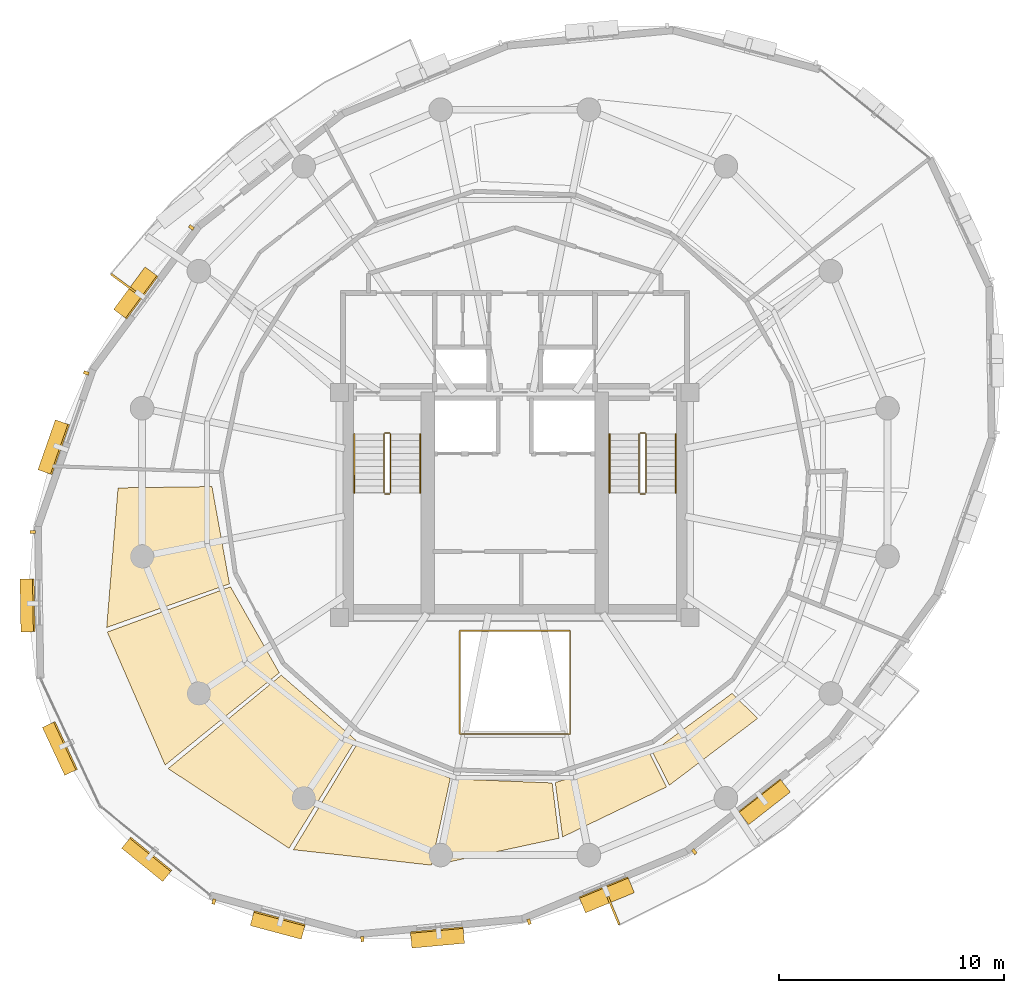
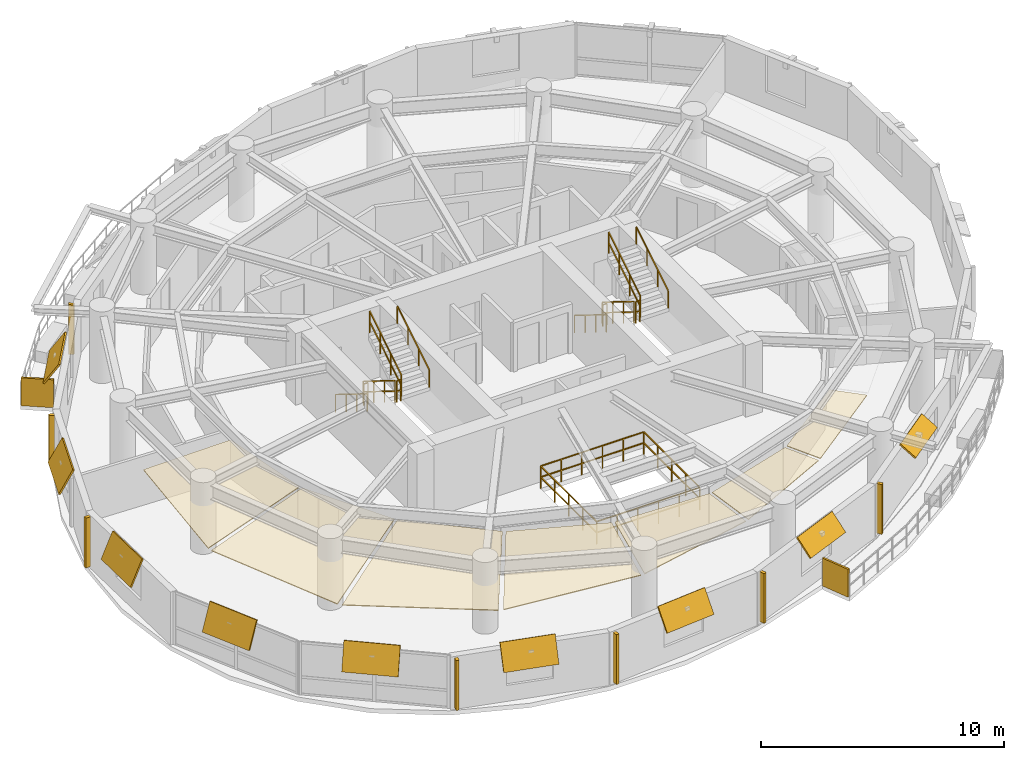
# One storey, part 11 of 12: 18 shading devices, 13 railings, 7 coverings.
"""IFC4 building model written with IfcOpenShell, lengths in metres."""

from ifc_helpers import new_model, si_unit, direction, frame, origin, origin_2d, place, context, subcontext, project, spatial, polyline, rectangle, outline, extrude, material, layer, layer_set, type_object, element, save


model = new_model("IFC4")

# Units and contexts
model_context = context("Model", 3, precision=1e-05, world=origin(), true_north=direction((0.0, 1.0)))
body_context = subcontext(model_context, "Body", "Model", "MODEL_VIEW")
ifc_project = project(units=[si_unit("LENGTHUNIT", "METRE"), si_unit("AREAUNIT", "SQUARE_METRE"), si_unit("VOLUMEUNIT", "CUBIC_METRE"), si_unit("PLANEANGLEUNIT", "RADIAN"), si_unit("MASSUNIT", "GRAM", prefix="KILO"), si_unit("THERMODYNAMICTEMPERATUREUNIT", "KELVIN"), si_unit("POWERUNIT", "WATT")], contexts=[model_context])

# Site, building, storey
site_placement = place(None, origin())
site = spatial("IfcSite", under=ifc_project, at=site_placement, CompositionType="ELEMENT")
building_placement = place(site_placement, origin())
building = spatial("IfcBuilding", under=site, at=building_placement, Name="Ocrelia Relay Tower", CompositionType="ELEMENT")
storey_placement = place(building_placement, frame((0.0, 0.0, 191.60009765625)))
storey = spatial("IfcBuildingStorey", under=building, at=storey_placement, Name="L46", CompositionType="ELEMENT", Elevation=191.60009765625)

# Coverings
ifc_material_1 = material(Name="Mineral-fiber acoustic ceiling tile", Category="gypsum")
ifc_layer_1 = layer(ifc_material_1, 0.0400390625, Name="Mineral-fiber acoustic ceiling tile")
ifc_layer_set_1 = layer_set([ifc_layer_1], Name="Mineral-fiber acoustic ceiling tile")
covering_type = type_object("IfcCoveringType", Name="COV-CEIL-ACOUSTIC", PredefinedType="CEILING", material=ifc_layer_set_1)
covering_1_placement = place(storey_placement, frame((0.0, 0.0, 2.3798828125)))
element("IfcCovering", 1, at=covering_1_placement, inside=storey, type_object=covering_type, Name="L46 Quiet Day Study Suspended Ceiling 1", PredefinedType="CEILING", context=body_context, shape_type="SweptSolid", body=[
    extrude(outline(polyline([(20.53125, 25.81201171875), (16.353759765625, 25.753662109375), (15.847900390625, 19.54541015625), (21.30859375, 21.487060546875), (20.53125, 25.81201171875)])), origin(), (0.0, 0.0, 1.0), 0.0400390625),
])
covering_2_placement = place(storey_placement, frame((0.0, 0.0, 2.3798828125)))
element("IfcCovering", 2, at=covering_2_placement, inside=storey, type_object=covering_type, Name="L46 Quiet Day Study Suspended Ceiling 2", PredefinedType="CEILING", context=body_context, shape_type="SweptSolid", body=[
    extrude(outline(polyline([(21.3564453125, 21.354248046875), (15.8759765625, 19.340576171875), (18.44775390625, 13.428466796875), (23.5244140625, 17.5322265625), (21.3564453125, 21.354248046875)])), origin(), (0.0, 0.0, 1.0), 0.0400390625),
])
covering_3_placement = place(storey_placement, frame((0.0, 0.0, 2.3798828125)))
element("IfcCovering", 3, at=covering_3_placement, inside=storey, type_object=covering_type, Name="L46 Quiet Day Study Suspended Ceiling 3", PredefinedType="CEILING", context=body_context, shape_type="SweptSolid", body=[
    extrude(outline(polyline([(23.61376953125, 17.423095703125), (18.5830078125, 13.2685546875), (23.95849609375, 9.7255859375), (26.927001953125, 14.53662109375), (23.61376953125, 17.423095703125)])), origin(), (0.0, 0.0, 1.0), 0.0400390625),
])
covering_4_placement = place(storey_placement, frame((0.0, 0.0, 2.3798828125)))
element("IfcCovering", 4, at=covering_4_placement, inside=storey, type_object=covering_type, Name="L46 Quiet Day Study Suspended Ceiling 4", PredefinedType="CEILING", context=body_context, shape_type="SweptSolid", body=[
    extrude(outline(polyline([(27.04736328125, 14.462890625), (24.15380859375, 9.661376953125), (30.287841796875, 8.974609375), (31.130615234375, 12.839111328125), (27.04736328125, 14.462890625)])), origin(), (0.0, 0.0, 1.0), 0.0400390625),
])
covering_5_placement = place(storey_placement, frame((0.0, 0.0, 2.3798828125)))
element("IfcCovering", 5, at=covering_5_placement, inside=storey, type_object=covering_type, Name="L46 Quiet Day Study Suspended Ceiling 5", PredefinedType="CEILING", context=body_context, shape_type="SweptSolid", body=[
    extrude(outline(polyline([(31.2685546875, 12.809814453125), (30.47705078125, 8.988525390625), (35.964599609375, 10.171630859375), (35.6591796875, 12.632568359375), (31.2685546875, 12.809814453125)])), origin(), (0.0, 0.0, 1.0), 0.0400390625),
])
covering_6_placement = place(storey_placement, frame((0.0, 0.0, 2.3798828125)))
element("IfcCovering", 6, at=covering_6_placement, inside=storey, type_object=covering_type, Name="L46 Quiet Day Study Suspended Ceiling 6", PredefinedType="CEILING", context=body_context, shape_type="SweptSolid", body=[
    extrude(outline(polyline([(35.799072265625, 12.650634765625), (36.125244140625, 10.22900390625), (40.740478515625, 12.45068359375), (39.999755859375, 13.93994140625), (35.799072265625, 12.650634765625)])), origin(), (0.0, 0.0, 1.0), 0.0400390625),
])
covering_7_placement = place(storey_placement, frame((0.0, 0.0, 2.3798828125)))
element("IfcCovering", 7, at=covering_7_placement, inside=storey, type_object=covering_type, Name="L46 Quiet Day Study Suspended Ceiling 7", PredefinedType="CEILING", context=body_context, shape_type="SweptSolid", body=[
    extrude(outline(polyline([(40.125732421875, 14.00341796875), (40.8759765625, 12.5341796875), (44.802001953125, 15.504638671875), (43.660888671875, 16.61328125), (40.125732421875, 14.00341796875)])), origin(), (0.0, 0.0, 1.0), 0.0400390625),
])

# Railings
ifc_material_2 = material(Name="Steel S355 atrium balustrade", Category="steel")
railing_type_1 = type_object("IfcRailingType", Name="RL-INT-GUARD-115", PredefinedType="GUARDRAIL", material=ifc_material_2)
railing_1_placement = place(storey_placement, frame((31.550048828125, 14.800048828125, 0.0)))
element("IfcRailing", 8, at=railing_1_placement, inside=storey, type_object=railing_type_1, Name="L46 Multi-Zone Interior Atrium Guard", PredefinedType="GUARDRAIL", context=body_context, shape_type="SweptSolid", body=[
    extrude(rectangle(XDim=0.048095703125, YDim=0.048095703125, at=origin_2d()), frame((0.0, 0.0, 1.1259765625), z_axis=(1.0, 0.0, 0.0), x_axis=(0.0, 1.0, 0.0)), (0.0, 0.0, 1.0), 4.89990234375),
    extrude(rectangle(XDim=0.048095703125, YDim=0.048095703125, at=origin_2d()), frame((0.0, 0.0, 0.574951171875), z_axis=(1.0, 0.0, 0.0), x_axis=(0.0, 1.0, 0.0)), (0.0, 0.0, 1.0), 4.89990234375),
    extrude(rectangle(XDim=0.048095703125, YDim=0.048095703125, at=origin_2d()), frame((4.89990234375, 0.0, 1.1259765625), z_axis=(0.0, 1.0, 0.0), x_axis=(-1.0, 0.0, 0.0)), (0.0, 0.0, 1.0), 4.599853515625),
    extrude(rectangle(XDim=0.048095703125, YDim=0.048095703125, at=origin_2d()), frame((4.89990234375, 0.0, 0.574951171875), z_axis=(0.0, 1.0, 0.0), x_axis=(-1.0, 0.0, 0.0)), (0.0, 0.0, 1.0), 4.599853515625),
    extrude(rectangle(XDim=0.048095703125, YDim=0.048095703125, at=origin_2d()), frame((4.89990234375, 4.599853515625, 1.1259765625), z_axis=(-1.0, 0.0, 0.0), x_axis=(0.0, -1.0, 0.0)), (0.0, 0.0, 1.0), 4.89990234375),
    extrude(rectangle(XDim=0.048095703125, YDim=0.048095703125, at=origin_2d()), frame((4.89990234375, 4.599853515625, 0.574951171875), z_axis=(-1.0, 0.0, 0.0), x_axis=(0.0, -1.0, 0.0)), (0.0, 0.0, 1.0), 4.89990234375),
    extrude(rectangle(XDim=0.048095703125, YDim=0.048095703125, at=origin_2d()), frame((0.0, 4.599853515625, 1.1259765625), z_axis=(0.0, -1.0, 0.0), x_axis=(1.0, 0.0, 0.0)), (0.0, 0.0, 1.0), 4.599853515625),
    extrude(rectangle(XDim=0.048095703125, YDim=0.048095703125, at=origin_2d()), frame((0.0, 4.599853515625, 0.574951171875), z_axis=(0.0, -1.0, 0.0), x_axis=(1.0, 0.0, 0.0)), (0.0, 0.0, 1.0), 4.599853515625),
    extrude(rectangle(XDim=0.0419921875, YDim=0.0419921875, at=origin_2d()), origin(), (0.0, 0.0, 1.0), 1.101806640625),
    extrude(rectangle(XDim=0.0419921875, YDim=0.0419921875, at=origin_2d()), frame((0.97998046875, 0.0, 0.0)), (0.0, 0.0, 1.0), 1.101806640625),
    extrude(rectangle(XDim=0.0419921875, YDim=0.0419921875, at=origin_2d()), frame((1.9599609375, 0.0, 0.0)), (0.0, 0.0, 1.0), 1.101806640625),
    extrude(rectangle(XDim=0.0419921875, YDim=0.0419921875, at=origin_2d()), frame((2.93994140625, 0.0, 0.0)), (0.0, 0.0, 1.0), 1.101806640625),
    extrude(rectangle(XDim=0.0419921875, YDim=0.0419921875, at=origin_2d()), frame((3.919921875, 0.0, 0.0)), (0.0, 0.0, 1.0), 1.101806640625),
    extrude(rectangle(XDim=0.0419921875, YDim=0.0419921875, at=origin_2d()), frame((4.89990234375, 0.0, 0.0)), (0.0, 0.0, 1.0), 1.101806640625),
    extrude(rectangle(XDim=0.0419921875, YDim=0.0419921875, at=origin_2d()), frame((4.89990234375, 1.14990234375, 0.0)), (0.0, 0.0, 1.0), 1.101806640625),
    extrude(rectangle(XDim=0.0419921875, YDim=0.0419921875, at=origin_2d()), frame((4.89990234375, 2.2998046875, 0.0)), (0.0, 0.0, 1.0), 1.101806640625),
    extrude(rectangle(XDim=0.0419921875, YDim=0.0419921875, at=origin_2d()), frame((4.89990234375, 3.449951171875, 0.0)), (0.0, 0.0, 1.0), 1.101806640625),
    extrude(rectangle(XDim=0.0419921875, YDim=0.0419921875, at=origin_2d()), frame((4.89990234375, 4.599853515625, 0.0)), (0.0, 0.0, 1.0), 1.101806640625),
    extrude(rectangle(XDim=0.0419921875, YDim=0.0419921875, at=origin_2d()), frame((3.919921875, 4.599853515625, 0.0)), (0.0, 0.0, 1.0), 1.101806640625),
    extrude(rectangle(XDim=0.0419921875, YDim=0.0419921875, at=origin_2d()), frame((2.93994140625, 4.599853515625, 0.0)), (0.0, 0.0, 1.0), 1.101806640625),
    extrude(rectangle(XDim=0.0419921875, YDim=0.0419921875, at=origin_2d()), frame((1.9599609375, 4.599853515625, 0.0)), (0.0, 0.0, 1.0), 1.101806640625),
    extrude(rectangle(XDim=0.0419921875, YDim=0.0419921875, at=origin_2d()), frame((0.97998046875, 4.599853515625, 0.0)), (0.0, 0.0, 1.0), 1.101806640625),
    extrude(rectangle(XDim=0.0419921875, YDim=0.0419921875, at=origin_2d()), frame((0.0, 4.599853515625, 0.0)), (0.0, 0.0, 1.0), 1.101806640625),
    extrude(rectangle(XDim=0.0419921875, YDim=0.0419921875, at=origin_2d()), frame((0.0, 3.449951171875, 0.0)), (0.0, 0.0, 1.0), 1.101806640625),
    extrude(rectangle(XDim=0.0419921875, YDim=0.0419921875, at=origin_2d()), frame((0.0, 2.2998046875, 0.0)), (0.0, 0.0, 1.0), 1.101806640625),
    extrude(rectangle(XDim=0.0419921875, YDim=0.0419921875, at=origin_2d()), frame((0.0, 1.14990234375, 0.0)), (0.0, 0.0, 1.0), 1.101806640625),
])
ifc_material_3 = material(Name="Steel S355 balustrade", Category="steel")
railing_type_2 = type_object("IfcRailingType", Name="RL-STAIR-GUARD", PredefinedType="GUARDRAIL", material=ifc_material_3)
railing_2_placement = place(storey_placement, frame((28.179931640625, 28.14990234375, 0.179931640625)))
element("IfcRailing", 9, at=railing_2_placement, inside=storey, type_object=railing_type_2, Name="L46 ST1 stair guard 1", PredefinedType="GUARDRAIL", context=body_context, shape_type="SweptSolid", body=[
    extrude(rectangle(XDim=0.048095703125, YDim=0.048095703125, at=origin_2d()), frame((0.0, 0.0, 1.076171875), z_axis=(0.0, -0.849646306263, 0.527352969322), x_axis=(1.0, 0.0, 0.0)), (0.0, 0.0, 1.0), 3.07177734375),
    extrude(rectangle(XDim=0.048095703125, YDim=0.048095703125, at=origin_2d()), frame((0.0, 0.0, 0.550048828125), z_axis=(0.0, -0.849646306263, 0.527352969322), x_axis=(1.0, 0.0, 0.0)), (0.0, 0.0, 1.0), 3.07177734375),
    extrude(rectangle(XDim=0.0419921875, YDim=0.0419921875, at=origin_2d()), origin(), (0.0, 0.0, 1.0), 1.052001953125),
    extrude(rectangle(XDim=0.0419921875, YDim=0.0419921875, at=origin_2d()), frame((0.0, -0.869873046875, 0.5400390625)), (0.0, 0.0, 1.0), 1.052001953125),
    extrude(rectangle(XDim=0.0419921875, YDim=0.0419921875, at=origin_2d()), frame((0.0, -1.739990234375, 1.079833984375)), (0.0, 0.0, 1.0), 1.052001953125),
    extrude(rectangle(XDim=0.0419921875, YDim=0.0419921875, at=origin_2d()), frame((0.0, -2.60986328125, 1.619873046875)), (0.0, 0.0, 1.0), 1.052001953125),
])
railing_3_placement = place(storey_placement, frame((28.22998046875, 25.489990234375, 1.7998046875)))
element("IfcRailing", 10, at=railing_3_placement, inside=storey, type_object=railing_type_2, Name="L46 ST1 stair guard 2", PredefinedType="GUARDRAIL", context=body_context, shape_type="SweptSolid", body=[
    extrude(rectangle(XDim=0.048095703125, YDim=0.048095703125, at=origin_2d()), frame((0.0, 0.0, 1.076171875), z_axis=(1.0, 0.0, 0.0), x_axis=(0.0, 1.0, 0.0)), (0.0, 0.0, 1.0), 0.199951171875),
    extrude(rectangle(XDim=0.048095703125, YDim=0.048095703125, at=origin_2d()), frame((0.0, 0.0, 0.550048828125), z_axis=(1.0, 0.0, 0.0), x_axis=(0.0, 1.0, 0.0)), (0.0, 0.0, 1.0), 0.199951171875),
    extrude(rectangle(XDim=0.0419921875, YDim=0.0419921875, at=origin_2d()), origin(), (0.0, 0.0, 1.0), 1.052001953125),
    extrude(rectangle(XDim=0.0419921875, YDim=0.0419921875, at=origin_2d()), frame((0.199951171875, 0.0, 0.0)), (0.0, 0.0, 1.0), 1.052001953125),
])
railing_4_placement = place(storey_placement, frame((28.47998046875, 25.5400390625, 1.97998046875)))
element("IfcRailing", 11, at=railing_4_placement, inside=storey, type_object=railing_type_2, Name="L46 ST1 stair guard 3", PredefinedType="GUARDRAIL", context=body_context, shape_type="SweptSolid", body=[
    extrude(rectangle(XDim=0.048095703125, YDim=0.048095703125, at=origin_2d()), frame((0.0, 0.0, 1.076171875), z_axis=(0.0, 0.849646306263, 0.527352969322), x_axis=(-1.0, 0.0, 0.0)), (0.0, 0.0, 1.0), 3.07177734375),
    extrude(rectangle(XDim=0.048095703125, YDim=0.048095703125, at=origin_2d()), frame((0.0, 0.0, 0.550048828125), z_axis=(0.0, 0.849646306263, 0.527352969322), x_axis=(-1.0, 0.0, 0.0)), (0.0, 0.0, 1.0), 3.07177734375),
    extrude(rectangle(XDim=0.0419921875, YDim=0.0419921875, at=origin_2d()), origin(), (0.0, 0.0, 1.0), 1.052001953125),
    extrude(rectangle(XDim=0.0419921875, YDim=0.0419921875, at=origin_2d()), frame((0.0, 0.869873046875, 0.5400390625)), (0.0, 0.0, 1.0), 1.052001953125),
    extrude(rectangle(XDim=0.0419921875, YDim=0.0419921875, at=origin_2d()), frame((0.0, 1.739990234375, 1.079833984375)), (0.0, 0.0, 1.0), 1.052001953125),
    extrude(rectangle(XDim=0.0419921875, YDim=0.0419921875, at=origin_2d()), frame((0.0, 2.60986328125, 1.619873046875)), (0.0, 0.0, 1.0), 1.052001953125),
])
railing_5_placement = place(storey_placement, frame((28.22998046875, 28.199951171875, 0.0)))
element("IfcRailing", 12, at=railing_5_placement, inside=storey, type_object=railing_type_2, Name="L46 ST1 stair guard 4", PredefinedType="GUARDRAIL", context=body_context, shape_type="SweptSolid", body=[
    extrude(rectangle(XDim=0.048095703125, YDim=0.048095703125, at=origin_2d()), frame((0.0, 0.0, 1.076171875), z_axis=(1.0, 0.0, 0.0), x_axis=(0.0, 1.0, 0.0)), (0.0, 0.0, 1.0), 0.199951171875),
    extrude(rectangle(XDim=0.048095703125, YDim=0.048095703125, at=origin_2d()), frame((0.0, 0.0, 0.550048828125), z_axis=(1.0, 0.0, 0.0), x_axis=(0.0, 1.0, 0.0)), (0.0, 0.0, 1.0), 0.199951171875),
    extrude(rectangle(XDim=0.0419921875, YDim=0.0419921875, at=origin_2d()), origin(), (0.0, 0.0, 1.0), 1.052001953125),
    extrude(rectangle(XDim=0.0419921875, YDim=0.0419921875, at=origin_2d()), frame((0.199951171875, 0.0, 0.0)), (0.0, 0.0, 1.0), 1.052001953125),
])
railing_6_placement = place(storey_placement, frame((39.530029296875, 28.14990234375, 0.179931640625)))
element("IfcRailing", 13, at=railing_6_placement, inside=storey, type_object=railing_type_2, Name="L46 ST2 stair guard 1", PredefinedType="GUARDRAIL", context=body_context, shape_type="SweptSolid", body=[
    extrude(rectangle(XDim=0.048095703125, YDim=0.048095703125, at=origin_2d()), frame((0.0, 0.0, 1.076171875), z_axis=(0.0, -0.849646306263, 0.527352969322), x_axis=(1.0, 0.0, 0.0)), (0.0, 0.0, 1.0), 3.07177734375),
    extrude(rectangle(XDim=0.048095703125, YDim=0.048095703125, at=origin_2d()), frame((0.0, 0.0, 0.550048828125), z_axis=(0.0, -0.849646306263, 0.527352969322), x_axis=(1.0, 0.0, 0.0)), (0.0, 0.0, 1.0), 3.07177734375),
    extrude(rectangle(XDim=0.0419921875, YDim=0.0419921875, at=origin_2d()), origin(), (0.0, 0.0, 1.0), 1.052001953125),
    extrude(rectangle(XDim=0.0419921875, YDim=0.0419921875, at=origin_2d()), frame((0.0, -0.869873046875, 0.5400390625)), (0.0, 0.0, 1.0), 1.052001953125),
    extrude(rectangle(XDim=0.0419921875, YDim=0.0419921875, at=origin_2d()), frame((0.0, -1.739990234375, 1.079833984375)), (0.0, 0.0, 1.0), 1.052001953125),
    extrude(rectangle(XDim=0.0419921875, YDim=0.0419921875, at=origin_2d()), frame((0.0, -2.60986328125, 1.619873046875)), (0.0, 0.0, 1.0), 1.052001953125),
])
railing_7_placement = place(storey_placement, frame((39.580078125, 25.489990234375, 1.7998046875)))
element("IfcRailing", 14, at=railing_7_placement, inside=storey, type_object=railing_type_2, Name="L46 ST2 stair guard 2", PredefinedType="GUARDRAIL", context=body_context, shape_type="SweptSolid", body=[
    extrude(rectangle(XDim=0.048095703125, YDim=0.048095703125, at=origin_2d()), frame((0.0, 0.0, 1.076171875), z_axis=(1.0, 0.0, 0.0), x_axis=(0.0, 1.0, 0.0)), (0.0, 0.0, 1.0), 0.199951171875),
    extrude(rectangle(XDim=0.048095703125, YDim=0.048095703125, at=origin_2d()), frame((0.0, 0.0, 0.550048828125), z_axis=(1.0, 0.0, 0.0), x_axis=(0.0, 1.0, 0.0)), (0.0, 0.0, 1.0), 0.199951171875),
    extrude(rectangle(XDim=0.0419921875, YDim=0.0419921875, at=origin_2d()), origin(), (0.0, 0.0, 1.0), 1.052001953125),
    extrude(rectangle(XDim=0.0419921875, YDim=0.0419921875, at=origin_2d()), frame((0.199951171875, 0.0, 0.0)), (0.0, 0.0, 1.0), 1.052001953125),
])
railing_8_placement = place(storey_placement, frame((39.830078125, 25.5400390625, 1.97998046875)))
element("IfcRailing", 15, at=railing_8_placement, inside=storey, type_object=railing_type_2, Name="L46 ST2 stair guard 3", PredefinedType="GUARDRAIL", context=body_context, shape_type="SweptSolid", body=[
    extrude(rectangle(XDim=0.048095703125, YDim=0.048095703125, at=origin_2d()), frame((0.0, 0.0, 1.076171875), z_axis=(0.0, 0.849646306263, 0.527352969322), x_axis=(-1.0, 0.0, 0.0)), (0.0, 0.0, 1.0), 3.07177734375),
    extrude(rectangle(XDim=0.048095703125, YDim=0.048095703125, at=origin_2d()), frame((0.0, 0.0, 0.550048828125), z_axis=(0.0, 0.849646306263, 0.527352969322), x_axis=(-1.0, 0.0, 0.0)), (0.0, 0.0, 1.0), 3.07177734375),
    extrude(rectangle(XDim=0.0419921875, YDim=0.0419921875, at=origin_2d()), origin(), (0.0, 0.0, 1.0), 1.052001953125),
    extrude(rectangle(XDim=0.0419921875, YDim=0.0419921875, at=origin_2d()), frame((0.0, 0.869873046875, 0.5400390625)), (0.0, 0.0, 1.0), 1.052001953125),
    extrude(rectangle(XDim=0.0419921875, YDim=0.0419921875, at=origin_2d()), frame((0.0, 1.739990234375, 1.079833984375)), (0.0, 0.0, 1.0), 1.052001953125),
    extrude(rectangle(XDim=0.0419921875, YDim=0.0419921875, at=origin_2d()), frame((0.0, 2.60986328125, 1.619873046875)), (0.0, 0.0, 1.0), 1.052001953125),
])
railing_9_placement = place(storey_placement, frame((39.580078125, 28.199951171875, 0.0)))
element("IfcRailing", 16, at=railing_9_placement, inside=storey, type_object=railing_type_2, Name="L46 ST2 stair guard 4", PredefinedType="GUARDRAIL", context=body_context, shape_type="SweptSolid", body=[
    extrude(rectangle(XDim=0.048095703125, YDim=0.048095703125, at=origin_2d()), frame((0.0, 0.0, 1.076171875), z_axis=(1.0, 0.0, 0.0), x_axis=(0.0, 1.0, 0.0)), (0.0, 0.0, 1.0), 0.199951171875),
    extrude(rectangle(XDim=0.048095703125, YDim=0.048095703125, at=origin_2d()), frame((0.0, 0.0, 0.550048828125), z_axis=(1.0, 0.0, 0.0), x_axis=(0.0, 1.0, 0.0)), (0.0, 0.0, 1.0), 0.199951171875),
    extrude(rectangle(XDim=0.0419921875, YDim=0.0419921875, at=origin_2d()), origin(), (0.0, 0.0, 1.0), 1.052001953125),
    extrude(rectangle(XDim=0.0419921875, YDim=0.0419921875, at=origin_2d()), frame((0.199951171875, 0.0, 0.0)), (0.0, 0.0, 1.0), 1.052001953125),
])
ifc_material_4 = material(Name="Steel S355 tubular handrail", Category="steel")
railing_type_3 = type_object("IfcRailingType", Name="RL-STAIR-HAND", PredefinedType="HANDRAIL", material=ifc_material_4)
railing_10_placement = place(storey_placement, frame((26.860107421875, 28.14990234375, 0.179931640625)))
element("IfcRailing", 17, at=railing_10_placement, inside=storey, type_object=railing_type_3, Name="L46 ST1 stair handrail 1", PredefinedType="HANDRAIL", context=body_context, shape_type="SweptSolid", body=[
    extrude(rectangle(XDim=0.048095703125, YDim=0.048095703125, at=origin_2d()), frame((0.0, 0.0, 0.8759765625), z_axis=(0.0, -0.849646306263, 0.527352969322), x_axis=(1.0, 0.0, 0.0)), (0.0, 0.0, 1.0), 3.07177734375),
    extrude(rectangle(XDim=0.0419921875, YDim=0.0419921875, at=origin_2d()), origin(), (0.0, 0.0, 1.0), 0.851806640625),
    extrude(rectangle(XDim=0.0419921875, YDim=0.0419921875, at=origin_2d()), frame((0.0, -0.869873046875, 0.5400390625)), (0.0, 0.0, 1.0), 0.851806640625),
    extrude(rectangle(XDim=0.0419921875, YDim=0.0419921875, at=origin_2d()), frame((0.0, -1.739990234375, 1.079833984375)), (0.0, 0.0, 1.0), 0.851806640625),
    extrude(rectangle(XDim=0.0419921875, YDim=0.0419921875, at=origin_2d()), frame((0.0, -2.60986328125, 1.619873046875)), (0.0, 0.0, 1.0), 0.851806640625),
])
railing_11_placement = place(storey_placement, frame((29.800048828125, 25.5400390625, 1.97998046875)))
element("IfcRailing", 18, at=railing_11_placement, inside=storey, type_object=railing_type_3, Name="L46 ST1 stair handrail 2", PredefinedType="HANDRAIL", context=body_context, shape_type="SweptSolid", body=[
    extrude(rectangle(XDim=0.048095703125, YDim=0.048095703125, at=origin_2d()), frame((0.0, 0.0, 0.8759765625), z_axis=(0.0, 0.849646306263, 0.527352969322), x_axis=(-1.0, 0.0, 0.0)), (0.0, 0.0, 1.0), 3.07177734375),
    extrude(rectangle(XDim=0.0419921875, YDim=0.0419921875, at=origin_2d()), origin(), (0.0, 0.0, 1.0), 0.851806640625),
    extrude(rectangle(XDim=0.0419921875, YDim=0.0419921875, at=origin_2d()), frame((0.0, 0.869873046875, 0.5400390625)), (0.0, 0.0, 1.0), 0.851806640625),
    extrude(rectangle(XDim=0.0419921875, YDim=0.0419921875, at=origin_2d()), frame((0.0, 1.739990234375, 1.079833984375)), (0.0, 0.0, 1.0), 0.851806640625),
    extrude(rectangle(XDim=0.0419921875, YDim=0.0419921875, at=origin_2d()), frame((0.0, 2.60986328125, 1.619873046875)), (0.0, 0.0, 1.0), 0.851806640625),
])
railing_12_placement = place(storey_placement, frame((38.2099609375, 28.14990234375, 0.179931640625)))
element("IfcRailing", 19, at=railing_12_placement, inside=storey, type_object=railing_type_3, Name="L46 ST2 stair handrail 1", PredefinedType="HANDRAIL", context=body_context, shape_type="SweptSolid", body=[
    extrude(rectangle(XDim=0.048095703125, YDim=0.048095703125, at=origin_2d()), frame((0.0, 0.0, 0.8759765625), z_axis=(0.0, -0.849646306263, 0.527352969322), x_axis=(1.0, 0.0, 0.0)), (0.0, 0.0, 1.0), 3.07177734375),
    extrude(rectangle(XDim=0.0419921875, YDim=0.0419921875, at=origin_2d()), origin(), (0.0, 0.0, 1.0), 0.851806640625),
    extrude(rectangle(XDim=0.0419921875, YDim=0.0419921875, at=origin_2d()), frame((0.0, -0.869873046875, 0.5400390625)), (0.0, 0.0, 1.0), 0.851806640625),
    extrude(rectangle(XDim=0.0419921875, YDim=0.0419921875, at=origin_2d()), frame((0.0, -1.739990234375, 1.079833984375)), (0.0, 0.0, 1.0), 0.851806640625),
    extrude(rectangle(XDim=0.0419921875, YDim=0.0419921875, at=origin_2d()), frame((0.0, -2.60986328125, 1.619873046875)), (0.0, 0.0, 1.0), 0.851806640625),
])
railing_13_placement = place(storey_placement, frame((41.14990234375, 25.5400390625, 1.97998046875)))
element("IfcRailing", 20, at=railing_13_placement, inside=storey, type_object=railing_type_3, Name="L46 ST2 stair handrail 2", PredefinedType="HANDRAIL", context=body_context, shape_type="SweptSolid", body=[
    extrude(rectangle(XDim=0.048095703125, YDim=0.048095703125, at=origin_2d()), frame((0.0, 0.0, 0.8759765625), z_axis=(0.0, 0.849646306263, 0.527352969322), x_axis=(-1.0, 0.0, 0.0)), (0.0, 0.0, 1.0), 3.07177734375),
    extrude(rectangle(XDim=0.0419921875, YDim=0.0419921875, at=origin_2d()), origin(), (0.0, 0.0, 1.0), 0.851806640625),
    extrude(rectangle(XDim=0.0419921875, YDim=0.0419921875, at=origin_2d()), frame((0.0, 0.869873046875, 0.5400390625)), (0.0, 0.0, 1.0), 0.851806640625),
    extrude(rectangle(XDim=0.0419921875, YDim=0.0419921875, at=origin_2d()), frame((0.0, 1.739990234375, 1.079833984375)), (0.0, 0.0, 1.0), 0.851806640625),
    extrude(rectangle(XDim=0.0419921875, YDim=0.0419921875, at=origin_2d()), frame((0.0, 2.60986328125, 1.619873046875)), (0.0, 0.0, 1.0), 0.851806640625),
])

# Shading devices
ifc_material_5 = material(Name="Perforated oxide terracotta solar screen", Category="masonry")
ifc_layer_2 = layer(ifc_material_5, 0.090087890625, Name="Perforated oxide terracotta solar screen")
ifc_layer_set_2 = layer_set([ifc_layer_2], Name="Perforated oxide terracotta solar screen")
shading_device_type_1 = type_object("IfcShadingDeviceType", Name="SH-BALC-SCREEN", PredefinedType="USERDEFINED", material=ifc_layer_set_2)
for number, where, z_axis, x_axis, name in (
    (21, (16.582763671875, 34.8642578125, 0.0), (0.0, 0.0, 1.0), (-0.805383989421, 0.592753430681, 0.0), "L46 Balcony Perforated Terracotta Screen B1-2"),
    (22, (38.38720703125, 6.95556640625, 0.0), (0.0, 0.0, 1.0), (0.380356335331, -0.92484001761, 0.0), "L46 Balcony Perforated Terracotta Screen B2-1"),
):
    element("IfcShadingDevice", number, at=place(storey_placement, frame(where, z_axis=z_axis, x_axis=x_axis)), inside=storey, type_object=shading_device_type_1, Name=name, ObjectType="SCREEN", PredefinedType="USERDEFINED", context=body_context, shape_type="SweptSolid", body=[
        extrude(rectangle(XDim=1.340087890625, YDim=0.090087890625, at=origin_2d()), origin(), (0.0, 0.0, 1.0), 1.39990234375),
    ])
ifc_material_6 = material(Name="Extruded oxide terracotta vertical baguette", Category="masonry")
shading_device_type_2 = type_object("IfcShadingDeviceType", Name="SH-TERR-BAGUETTE", PredefinedType="USERDEFINED", material=ifc_material_6)
for number, where, z_axis, x_axis, name in (
    (23, (19.617431640625, 37.3330078125, 0.079833984375), (0.0, 0.0, 1.0), (-0.594004722236, -0.804461552818, 0.0), "L46 Oxide Terracotta Vertical Baguette 06"),
    (24, (14.93994140625, 30.86181640625, 0.079833984375), (0.0, 0.0, 1.0), (-0.330596085787, -0.943772339106, 0.0), "L46 Oxide Terracotta Vertical Baguette 07"),
    (25, (12.564697265625, 23.787109375, 0.079833984375), (0.0, 0.0, 1.0), (0.016693748492, -0.999860649671, 0.0), "L46 Oxide Terracotta Vertical Baguette 08"),
    (26, (20.6142578125, 7.35400390625, 0.079833984375), (0.0, 0.0, 1.0), (0.966121653723, -0.258087098105, 0.0), "L46 Oxide Terracotta Vertical Baguette 11"),
    (27, (27.218505859375, 5.6904296875, 0.079833984375), (0.0, 0.0, 1.0), (0.995717407772, 0.092449142017, 0.0), "L46 Oxide Terracotta Vertical Baguette 12"),
    (28, (34.6337890625, 6.460205078125, 0.079833984375), (0.0, 0.0, 1.0), (0.92426790959, 0.381744458116, 0.0), "L46 Oxide Terracotta Vertical Baguette 13"),
    (29, (41.981689453125, 9.57373046875, 0.079833984375), (0.0, 0.0, 1.0), (0.788007956914, 0.615665054912, 0.0), "L46 Oxide Terracotta Vertical Baguette 14"),
):
    element("IfcShadingDevice", number, at=place(storey_placement, frame(where, z_axis=z_axis, x_axis=x_axis)), inside=storey, type_object=shading_device_type_2, Name=name, ObjectType="BAGUETTE", PredefinedType="USERDEFINED", context=body_context, shape_type="SweptSolid", body=[
        extrude(rectangle(XDim=0.139892578125, YDim=0.239990234375, at=origin_2d()), origin(), (0.0, 0.0, 1.0), 2.5),
    ])
ifc_material_7 = material(Name="Extruded oxide terracotta fin", Category="masonry")
ifc_layer_3 = layer(ifc_material_7, 0.080078125, Name="Extruded oxide terracotta fin")
ifc_layer_set_3 = layer_set([ifc_layer_3], Name="Extruded oxide terracotta fin")
shading_device_type_3 = type_object("IfcShadingDeviceType", Name="SH-VISOR-FIN-DEEP", PredefinedType="USERDEFINED", material=ifc_layer_set_3)
shading_device_1_placement = place(storey_placement, frame((17.17431640625, 34.402587890625, 2.47802734375), z_axis=(-0.674065809459, 0.497722075734, 0.545809508754), x_axis=(-0.594004722236, -0.804461552818, 0.0)))
element("IfcShadingDevice", 30, at=shading_device_1_placement, inside=storey, type_object=shading_device_type_3, Name="L46 Canted Terracotta Sun-Visor Fin 06", ObjectType="FIN", PredefinedType="USERDEFINED", context=body_context, shape_type="SweptSolid", body=[
    extrude(rectangle(XDim=2.35009765625, YDim=1.198974609375, at=origin_2d()), origin(), (0.0, 0.0, 1.0), 0.080078125),
])
shading_device_2_placement = place(storey_placement, frame((13.525146484375, 27.549560546875, 2.481689453125), z_axis=(-0.840308243841, 0.294353420584, 0.455234136597), x_axis=(-0.330596085787, -0.943772339106, 0.0)))
element("IfcShadingDevice", 31, at=shading_device_2_placement, inside=storey, type_object=shading_device_type_3, Name="L46 Canted Terracotta Sun-Visor Fin 07", ObjectType="FIN", PredefinedType="USERDEFINED", context=body_context, shape_type="SweptSolid", body=[
    extrude(rectangle(XDim=2.35009765625, YDim=1.299072265625, at=origin_2d()), origin(), (0.0, 0.0, 1.0), 0.080078125),
])
shading_device_3_placement = place(storey_placement, frame((12.36376953125, 20.528076171875, 2.4833984375), z_axis=(-0.910340361099, -0.015199111032, 0.413581206025), x_axis=(0.016693748492, -0.999860649671, 0.0)))
element("IfcShadingDevice", 32, at=shading_device_3_placement, inside=storey, type_object=shading_device_type_3, Name="L46 Canted Terracotta Sun-Visor Fin 08", ObjectType="FIN", PredefinedType="USERDEFINED", context=body_context, shape_type="SweptSolid", body=[
    extrude(rectangle(XDim=2.35009765625, YDim=1.343017578125, at=origin_2d()), origin(), (0.0, 0.0, 1.0), 0.080078125),
])
shading_device_4_placement = place(storey_placement, frame((13.80126953125, 14.18408203125, 2.483642578125), z_axis=(-0.827179721775, -0.386056916801, 0.408330460381), x_axis=(0.422921190321, -0.906166467476, 0.0)))
element("IfcShadingDevice", 33, at=shading_device_4_placement, inside=storey, type_object=shading_device_type_3, Name="L46 Canted Terracotta Sun-Visor Fin 09", ObjectType="FIN", PredefinedType="USERDEFINED", context=body_context, shape_type="SweptSolid", body=[
    extrude(rectangle(XDim=2.35009765625, YDim=1.347900390625, at=origin_2d()), origin(), (0.0, 0.0, 1.0), 0.080078125),
])
shading_device_5_placement = place(storey_placement, frame((17.653076171875, 9.26416015625, 2.482666015625), z_axis=(-0.568012916654, -0.700958526119, 0.431298587031), x_axis=(0.776935646541, -0.629580019644, 0.0)))
element("IfcShadingDevice", 34, at=shading_device_5_placement, inside=storey, type_object=shading_device_type_3, Name="L46 Canted Terracotta Sun-Visor Fin 10", ObjectType="FIN", PredefinedType="USERDEFINED", context=body_context, shape_type="SweptSolid", body=[
    extrude(rectangle(XDim=2.35009765625, YDim=1.323974609375, at=origin_2d()), origin(), (0.0, 0.0, 1.0), 0.080078125),
])
shading_device_6_placement = place(storey_placement, frame((23.465576171875, 6.346923828125, 2.480712890625), z_axis=(-0.226185145105, -0.84670007932, 0.481600722397), x_axis=(0.966121653723, -0.258087098105, 0.0)))
element("IfcShadingDevice", 35, at=shading_device_6_placement, inside=storey, type_object=shading_device_type_3, Name="L46 Canted Terracotta Sun-Visor Fin 11", ObjectType="FIN", PredefinedType="USERDEFINED", context=body_context, shape_type="SweptSolid", body=[
    extrude(rectangle(XDim=2.35009765625, YDim=1.27001953125, at=origin_2d()), origin(), (0.0, 0.0, 1.0), 0.080078125),
])
shading_device_7_placement = place(storey_placement, frame((30.555908203125, 5.78955078125, 2.477294921875), z_axis=(0.076317480308, -0.821972405607, 0.564390827903), x_axis=(0.995717407772, 0.092449142017, 0.0)))
element("IfcShadingDevice", 36, at=shading_device_7_placement, inside=storey, type_object=shading_device_type_3, Name="L46 Canted Terracotta Sun-Visor Fin 12", ObjectType="FIN", PredefinedType="USERDEFINED", context=body_context, shape_type="SweptSolid", body=[
    extrude(rectangle(XDim=2.35009765625, YDim=1.177001953125, at=origin_2d()), origin(), (0.0, 0.0, 1.0), 0.080078125),
])
ifc_layer_4 = layer(ifc_material_7, 0.080078125, Name="Extruded oxide terracotta fin")
ifc_layer_set_4 = layer_set([ifc_layer_4], Name="Extruded oxide terracotta fin")
shading_device_type_4 = type_object("IfcShadingDeviceType", Name="SH-VISOR-FIN-MED", PredefinedType="USERDEFINED", material=ifc_layer_set_4)
shading_device_8_placement = place(storey_placement, frame((38.07421875, 7.681884765625, 2.472900390625), z_axis=(0.279961463779, -0.677834062529, 0.679825391166), x_axis=(0.92426790959, 0.381744458116, 0.0)))
element("IfcShadingDevice", 37, at=shading_device_8_placement, inside=storey, type_object=shading_device_type_4, Name="L46 Canted Terracotta Sun-Visor Fin 13", ObjectType="FIN", PredefinedType="USERDEFINED", context=body_context, shape_type="SweptSolid", body=[
    extrude(rectangle(XDim=2.35009765625, YDim=1.035888671875, at=origin_2d()), origin(), (0.0, 0.0, 1.0), 0.080078125),
])
shading_device_9_placement = place(storey_placement, frame((45.0849609375, 11.81201171875, 2.4677734375), z_axis=(0.367074820386, -0.469829945583, 0.802817475191), x_axis=(0.788007956914, 0.615665054912, 0.0)))
element("IfcShadingDevice", 38, at=shading_device_9_placement, inside=storey, type_object=shading_device_type_4, Name="L46 Canted Terracotta Sun-Visor Fin 14", ObjectType="FIN", PredefinedType="USERDEFINED", context=body_context, shape_type="SweptSolid", body=[
    extrude(rectangle(XDim=2.35009765625, YDim=0.860107421875, at=origin_2d()), origin(), (0.0, 0.0, 1.0), 0.080078125),
])

save(model, "model.ifc")
